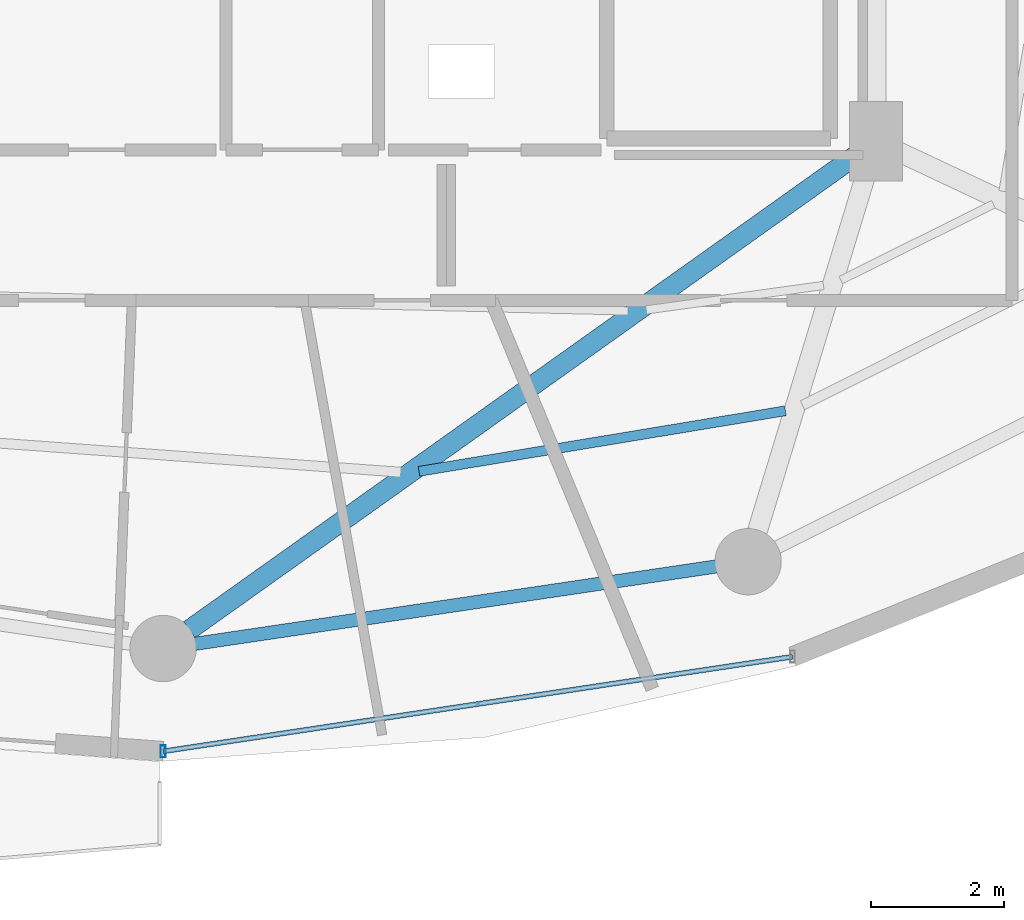
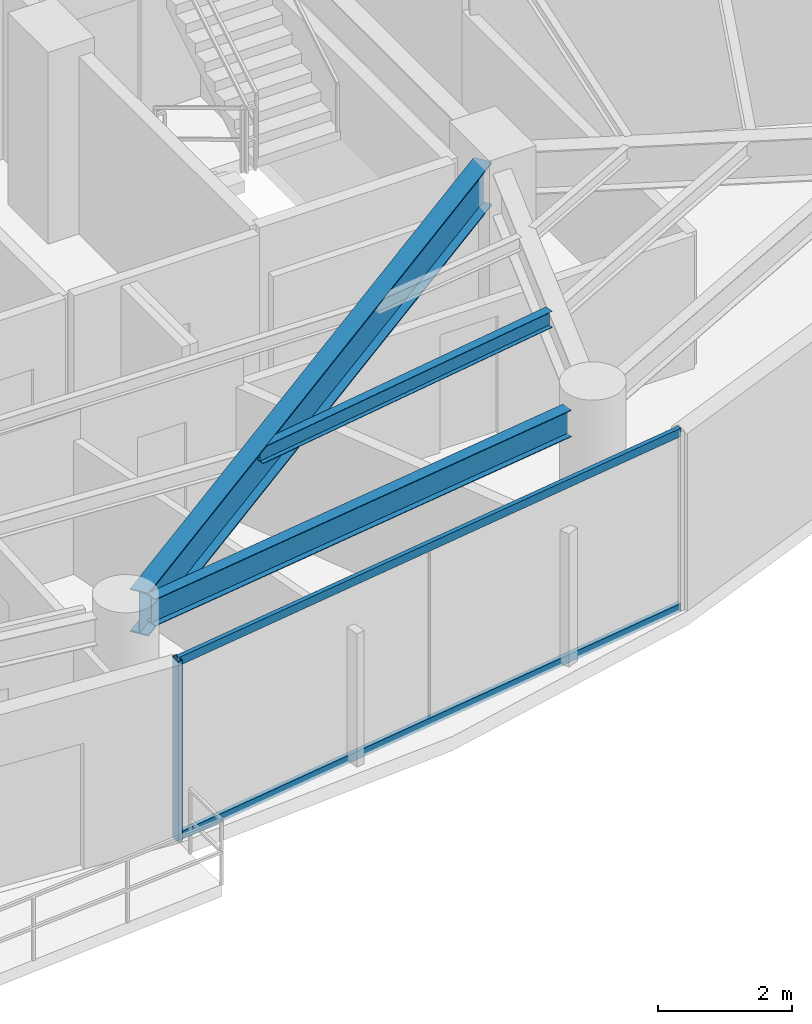
# One storey, part 5 of 28: 3 beams, 3 members, 1 element without a shape of its own.
"""IFC4 building model written with IfcOpenShell, lengths in metres."""

from ifc_helpers import new_model, si_unit, direction, frame, origin, origin_2d, place, context, subcontext, project, spatial, hollow_rectangle, i_section, extrude, material, material_profile, profile_set, type_object, element, aggregate, save


model = new_model("IFC4")

# Units and contexts
model_context = context("Model", 3, precision=1e-05, world=origin(), true_north=direction((0.0, 1.0)))
body_context = subcontext(model_context, "Body", "Model", "MODEL_VIEW")
ifc_project = project(units=[si_unit("LENGTHUNIT", "METRE"), si_unit("AREAUNIT", "SQUARE_METRE"), si_unit("VOLUMEUNIT", "CUBIC_METRE"), si_unit("PLANEANGLEUNIT", "RADIAN"), si_unit("MASSUNIT", "GRAM", prefix="KILO")], contexts=[model_context])

# Site, building, storey
site_placement = place(None, origin())
site = spatial("IfcSite", under=ifc_project, at=site_placement, CompositionType="ELEMENT")
building_placement = place(site_placement, origin())
building = spatial("IfcBuilding", under=site, at=building_placement, Name="Vorneva Point Tower", CompositionType="ELEMENT")
storey_placement = place(building_placement, frame((0.0, 0.0, 143.10009765625)))
storey = spatial("IfcBuildingStorey", under=building, at=storey_placement, Name="L38", CompositionType="ELEMENT", Elevation=143.10009765625)

# Beams
ifc_material_1 = material(Name="Steel S355", Category="steel")
ifc_material_profile_1 = material_profile(ifc_material_1, i_section(OverallWidth=0.300048828125, OverallDepth=0.7880859375, WebThickness=0.014404296875, FlangeThickness=0.02197265625, at=origin_2d()), Name="80Sh1")
ifc_profile_set_1 = profile_set([ifc_material_profile_1], Name="Steel S355")
beam_type_1 = type_object("IfcBeamType", Name="BM-GRD-80Sh1", PredefinedType="USERDEFINED", material=ifc_profile_set_1)
beam_1_placement = place(storey_placement, frame((38.397705078125, 9.0830078125, 2.845947265625), z_axis=(0.814751382529, 0.579810473057, 0.0), x_axis=(-0.579810473057, 0.814751382529, 0.0)))
element("IfcBeam", 1, at=beam_1_placement, inside=storey, type_object=beam_type_1, Name="L38 Radial Primary Girder 13", ObjectType="GIRDER", PredefinedType="USERDEFINED", context=body_context, shape_type="SweptSolid", body=[
    extrude(i_section(OverallWidth=0.300048828125, OverallDepth=0.7880859375, WebThickness=0.014404296875, FlangeThickness=0.02197265625, at=origin_2d()), origin(), (0.0, 0.0, 1.0), 12.365966796875),
])
ifc_material_profile_2 = material_profile(ifc_material_1, i_section(OverallWidth=0.14892578125, OverallDepth=0.298095703125, WebThickness=0.005615234375, FlangeThickness=0.008056640625, at=origin_2d()), Name="30B1")
ifc_profile_set_2 = profile_set([ifc_material_profile_2], Name="Steel S355")
beam_type_2 = type_object("IfcBeamType", Name="BM-JST-30B1", PredefinedType="JOIST", material=ifc_profile_set_2)
beam_2_placement = place(storey_placement, frame((41.858642578125, 11.471435546875, 3.0908203125), z_axis=(0.986611034558, 0.163090976107, 0.0), x_axis=(-0.163090976107, 0.986611034558, 0.0)))
element("IfcBeam", 2, at=beam_2_placement, inside=storey, type_object=beam_type_2, Name="L38 Secondary Floor Beam 1.13", PredefinedType="JOIST", context=body_context, shape_type="SweptSolid", body=[
    extrude(i_section(OverallWidth=0.14892578125, OverallDepth=0.298095703125, WebThickness=0.005615234375, FlangeThickness=0.008056640625, at=origin_2d()), origin(), (0.0, 0.0, 1.0), 5.60009765625),
])
ifc_material_profile_3 = material_profile(ifc_material_1, i_section(OverallWidth=0.199951171875, OverallDepth=0.491943359375, WebThickness=0.0087890625, FlangeThickness=0.011962890625, at=origin_2d()), Name="50B1")
ifc_profile_set_3 = profile_set([ifc_material_profile_3], Name="Steel S355")
beam_type_3 = type_object("IfcBeamType", Name="BM-SPN-50B1", PredefinedType="SPANDREL", material=ifc_profile_set_3)
beam_3_placement = place(storey_placement, frame((38.479736328125, 8.87109375, 2.993896484375), z_axis=(0.989161199046, 0.146833655211, 0.0), x_axis=(-0.146833655211, 0.989161199046, 0.0)))
element("IfcBeam", 3, at=beam_3_placement, inside=storey, type_object=beam_type_3, Name="L38 Perimeter Spandrel Ring Beam 13", PredefinedType="SPANDREL", context=body_context, shape_type="SweptSolid", body=[
    extrude(i_section(OverallWidth=0.199951171875, OverallDepth=0.491943359375, WebThickness=0.0087890625, FlangeThickness=0.011962890625, at=origin_2d()), origin(), (0.0, 0.0, 1.0), 7.94775390625),
])

# Curtain wall, members
ifc_material_2 = material(Name="Pale anodised aluminium", Category="aluminium")
curtain_wall_type = type_object("IfcCurtainWallType", Name="CW-RES-SYS", PredefinedType="NOTDEFINED", material=ifc_material_2)
curtain_wall_placement = place(storey_placement, origin())
curtain_wall = element("IfcCurtainWall", 4, at=curtain_wall_placement, inside=storey, type_object=curtain_wall_type, Name="L38 Unitised Curtain Wall CW-L38-R03", PredefinedType="NOTDEFINED")
ifc_material_profile_4 = material_profile(ifc_material_2, hollow_rectangle(XDim=0.074951171875, YDim=0.179931640625, WallThickness=0.00390625, at=origin_2d()), Name="AL-MUL 180x75x4")
ifc_profile_set_4 = profile_set([ifc_material_profile_4], Name="Pale anodised aluminium")
member_type_1 = type_object("IfcMemberType", Name="CW-MUL-180", PredefinedType="MULLION", material=ifc_profile_set_4)
member_1_placement = place(storey_placement, frame((38.0, 7.25, -0.0400390625), z_axis=(0.0, 0.0, 1.0), x_axis=(1.0, 0.0, 0.0)))
member_1 = element("IfcMember", 5, at=member_1_placement, type_object=member_type_1, Name="CW-L38-R03 Mullion 01", PredefinedType="MULLION", context=body_context, shape_type="SweptSolid", body=[
    extrude(hollow_rectangle(XDim=0.074951171875, YDim=0.179931640625, WallThickness=0.00390625, at=origin_2d()), origin(), (0.0, 0.0, 1.0), 3.31005859375),
])
ifc_material_profile_5 = material_profile(ifc_material_2, hollow_rectangle(XDim=0.074951171875, YDim=0.14990234375, WallThickness=0.00390625, at=origin_2d()), Name="AL-TRN 150x75x4")
ifc_profile_set_5 = profile_set([ifc_material_profile_5], Name="Pale anodised aluminium")
member_type_2 = type_object("IfcMemberType", Name="CW-TRN-150", PredefinedType="USERDEFINED", material=ifc_profile_set_5)
member_2_placement = place(storey_placement, frame((38.0, 7.25, 0.02001953125), z_axis=(0.988880117727, 0.148714870687, 0.0), x_axis=(-0.148714870687, 0.988880117727, 0.0)))
member_2 = element("IfcMember", 6, at=member_2_placement, type_object=member_type_2, Name="CW-L38-R03 Transom 01.1", ObjectType="TRANSOM", PredefinedType="USERDEFINED", context=body_context, shape_type="SweptSolid", body=[
    extrude(hollow_rectangle(XDim=0.074951171875, YDim=0.14990234375, WallThickness=0.00390625, at=origin_2d()), origin(), (0.0, 0.0, 1.0), 9.59716796875),
])
member_3_placement = place(storey_placement, frame((38.0, 7.25, 3.219970703125), z_axis=(0.988880117727, 0.148714870687, 0.0), x_axis=(-0.148714870687, 0.988880117727, 0.0)))
member_3 = element("IfcMember", 7, at=member_3_placement, type_object=member_type_2, Name="CW-L38-R03 Transom 01.2", ObjectType="TRANSOM", PredefinedType="USERDEFINED", context=body_context, shape_type="SweptSolid", body=[
    extrude(hollow_rectangle(XDim=0.074951171875, YDim=0.14990234375, WallThickness=0.00390625, at=origin_2d()), origin(), (0.0, 0.0, 1.0), 9.59716796875),
])
aggregate(curtain_wall, [member_1, member_2, member_3])

save(model, "model.ifc")
